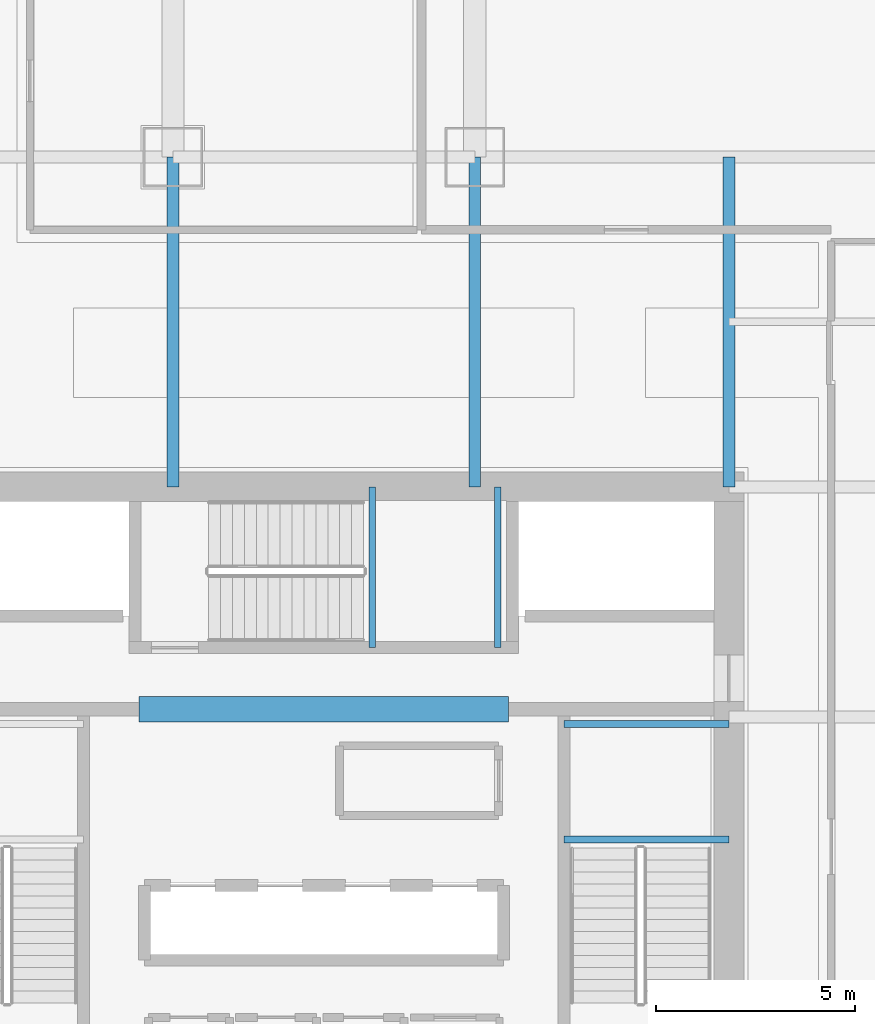
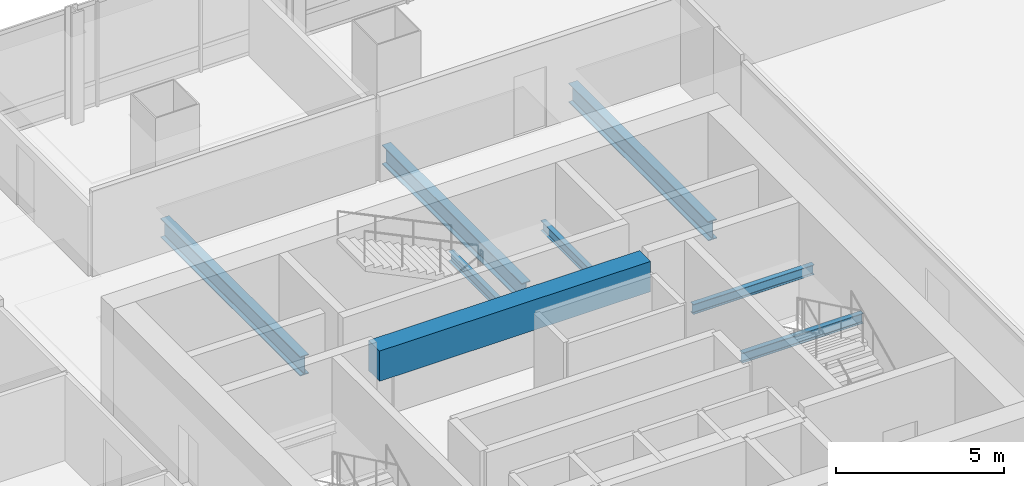
# One storey, part 12 of 34: 8 beams.
"""IFC4 building model written with IfcOpenShell, lengths in metres."""

from ifc_helpers import new_model, si_unit, direction, frame, origin, origin_2d, place, context, subcontext, project, spatial, rectangle, i_section, extrude, material, material_profile, profile_set, type_object, element, save


model = new_model("IFC4")

# Units and contexts
model_context = context("Model", 3, precision=1e-05, world=origin(), true_north=direction((0.0, 1.0)))
body_context = subcontext(model_context, "Body", "Model", "MODEL_VIEW")
ifc_project = project(units=[si_unit("LENGTHUNIT", "METRE"), si_unit("AREAUNIT", "SQUARE_METRE"), si_unit("VOLUMEUNIT", "CUBIC_METRE"), si_unit("PLANEANGLEUNIT", "RADIAN"), si_unit("MASSUNIT", "GRAM", prefix="KILO")], contexts=[model_context])

# Site, building, storey
site_placement = place(None, origin())
site = spatial("IfcSite", under=ifc_project, at=site_placement, CompositionType="ELEMENT")
building_placement = place(site_placement, origin())
building = spatial("IfcBuilding", under=site, at=building_placement, Name="Punatoya Terracotta Tower", CompositionType="ELEMENT")
storey_placement = place(building_placement, frame((0.0, 0.0, 117.300048828125)))
storey = spatial("IfcBuildingStorey", under=building, at=storey_placement, Name="L27", CompositionType="ELEMENT", Elevation=117.300048828125)

# Beams
ifc_material_1 = material(Name="Steel S355", Category="steel")
ifc_material_profile_1 = material_profile(ifc_material_1, i_section(OverallWidth=0.300048828125, OverallDepth=0.699951171875, WebThickness=0.01708984375, FlangeThickness=0.031982421875, FilletRadius=0.01806640625, at=origin_2d()))
ifc_profile_set_1 = profile_set([ifc_material_profile_1], Name="Steel S355")
beam_type_1 = type_object("IfcBeamType", Name="BM-PRI-700", PredefinedType="BEAM", material=ifc_profile_set_1)
for number, where, z_axis, x_axis, name in (
    (1, (-3.800048828125, 9.199951171875, -0.590087890625), (0.0, 1.0, 0.0), (-1.0, 0.0, 0.0), "BM-L27-PR-N2"),
    (2, (3.800048828125, 9.199951171875, -0.590087890625), (0.0, 1.0, 0.0), (-1.0, 0.0, 0.0), "BM-L27-PR-N3"),
    (3, (10.199951171875, 9.199951171875, -0.590087890625), (0.0, 1.0, 0.0), (-1.0, 0.0, 0.0), "BM-L27-PR-N4"),
):
    element("IfcBeam", number, at=place(storey_placement, frame(where, z_axis=z_axis, x_axis=x_axis)), inside=storey, type_object=beam_type_1, Name=name, PredefinedType="BEAM", context=body_context, shape_type="SweptSolid", body=[
        extrude(i_section(OverallWidth=0.300048828125, OverallDepth=0.699951171875, WebThickness=0.01708984375, FlangeThickness=0.031982421875, FilletRadius=0.01806640625, at=origin_2d()), origin(), (0.0, 0.0, 1.0), 8.300048828125),
    ])
ifc_material_2 = material(Name="Concrete C60/75", Category="concrete")
ifc_material_profile_2 = material_profile(ifc_material_2, rectangle(XDim=0.64990234375, YDim=1.10009765625, at=origin_2d()))
ifc_profile_set_2 = profile_set([ifc_material_profile_2], Name="Concrete C60/75")
beam_type_2 = type_object("IfcBeamType", Name="BM-RC-1100", PredefinedType="LINTEL", material=ifc_profile_set_2)
beam_placement = place(storey_placement, frame((-4.64990234375, 3.60009765625, 3.260009765625), z_axis=(1.0, 0.0, 0.0), x_axis=(0.0, 1.0, 0.0)))
element("IfcBeam", 4, at=beam_placement, inside=storey, type_object=beam_type_2, Name="L27 Core Coupling Lintel CNW", PredefinedType="LINTEL", context=body_context, shape_type="SweptSolid", body=[
    extrude(rectangle(XDim=0.64990234375, YDim=1.10009765625, at=origin_2d()), origin(), (0.0, 0.0, 1.0), 9.2998046875),
])
ifc_material_profile_3 = material_profile(ifc_material_1, i_section(OverallWidth=0.169921875, OverallDepth=0.360107421875, WebThickness=0.008056640625, FlangeThickness=0.0126953125, FilletRadius=0.01806640625, at=origin_2d()))
ifc_profile_set_3 = profile_set([ifc_material_profile_3], Name="Steel S355")
beam_type_3 = type_object("IfcBeamType", Name="BM-SEC-360", PredefinedType="JOIST", material=ifc_profile_set_3)
for number, where, z_axis, x_axis, name in (
    (5, (6.050048828125, 0.320068359375, 1.64501953125), (1.0, 0.0, 0.0), (0.0, 1.0, 0.0), "BM-L27-ST-2-LD1A"),
    (6, (6.050048828125, 3.22998046875, 1.64501953125), (1.0, 0.0, 0.0), (0.0, 1.0, 0.0), "BM-L27-ST-2-LD1B"),
):
    element("IfcBeam", number, at=place(storey_placement, frame(where, z_axis=z_axis, x_axis=x_axis)), inside=storey, type_object=beam_type_3, Name=name, PredefinedType="JOIST", context=body_context, shape_type="SweptSolid", body=[
        extrude(i_section(OverallWidth=0.169921875, OverallDepth=0.360107421875, WebThickness=0.008056640625, FlangeThickness=0.0126953125, FilletRadius=0.01806640625, at=origin_2d()), origin(), (0.0, 0.0, 1.0), 4.14990234375),
    ])
for number, where, z_axis, x_axis, name in (
    (7, (1.219970703125, 5.14990234375, 1.64501953125), (0.0, 1.0, 0.0), (-1.0, 0.0, 0.0), "BM-L27-ST-3-LD1A"),
    (8, (4.3798828125, 5.14990234375, 1.64501953125), (0.0, 1.0, 0.0), (-1.0, 0.0, 0.0), "BM-L27-ST-3-LD1B"),
):
    element("IfcBeam", number, at=place(storey_placement, frame(where, z_axis=z_axis, x_axis=x_axis)), inside=storey, type_object=beam_type_3, Name=name, PredefinedType="JOIST", context=body_context, shape_type="SweptSolid", body=[
        extrude(i_section(OverallWidth=0.169921875, OverallDepth=0.360107421875, WebThickness=0.008056640625, FlangeThickness=0.0126953125, FilletRadius=0.01806640625, at=origin_2d()), origin(), (0.0, 0.0, 1.0), 4.050048828125),
    ])

save(model, "model.ifc")
